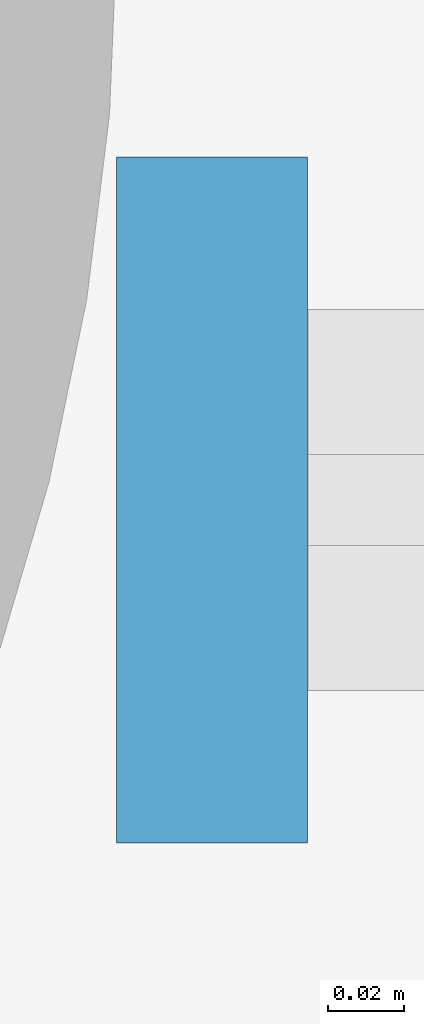
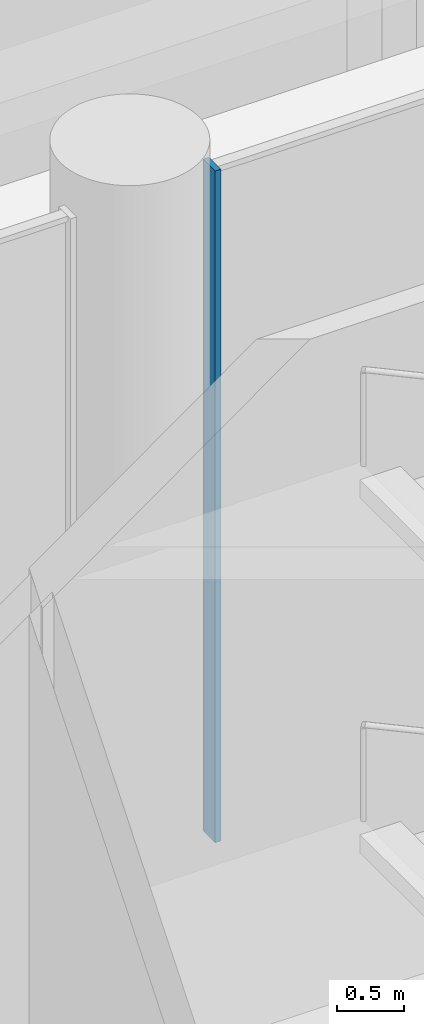
# One storey, part 16 of 51: 1 member, 1 element without a shape of its own.
"""IFC4 building model written with IfcOpenShell, lengths in metres."""

from ifc_helpers import new_model, si_unit, direction, frame, origin, origin_2d, place, context, subcontext, project, spatial, rectangle, extrude, material, layer, layer_set, material_profile, profile_set, type_object, element, aggregate, save


model = new_model("IFC4")

# Units and contexts
model_context = context("Model", 3, precision=1e-05, world=origin(), true_north=direction((0.0, 1.0)))
body_context = subcontext(model_context, "Body", "Model", "MODEL_VIEW")
ifc_project = project(units=[si_unit("LENGTHUNIT", "METRE"), si_unit("AREAUNIT", "SQUARE_METRE"), si_unit("VOLUMEUNIT", "CUBIC_METRE"), si_unit("PLANEANGLEUNIT", "RADIAN"), si_unit("MASSUNIT", "GRAM", prefix="KILO")], contexts=[model_context])

# Site, building, storey
site_placement = place(None, origin())
site = spatial("IfcSite", under=ifc_project, at=site_placement, CompositionType="ELEMENT")
building_placement = place(site_placement, origin())
building = spatial("IfcBuilding", under=site, at=building_placement, Name="Kiln Ring Residences", CompositionType="ELEMENT")
storey_placement = place(building_placement, origin())
storey = spatial("IfcBuildingStorey", under=building, at=storey_placement, Name="L00", CompositionType="ELEMENT", Elevation=0.0)

# Curtain wall, member
ifc_material_1 = material(Name="Aluminium and glass", Category="aluminium")
ifc_layer = layer(ifc_material_1, 0.179931640625)
ifc_layer_set = layer_set([ifc_layer], Name="CW2 CURTAIN WALL")
curtain_wall_type = type_object("IfcCurtainWallType", Name="CW2 CURTAIN WALL", PredefinedType="NOTDEFINED", material=ifc_layer_set)
curtain_wall_placement = place(storey_placement, origin())
curtain_wall = element("IfcCurtainWall", 1, at=curtain_wall_placement, inside=storey, type_object=curtain_wall_type, Name="Curtain wall CW2 L00", PredefinedType="NOTDEFINED")
ifc_material_2 = material(Name="Aluminium 6063-T6", Category="aluminium")
ifc_material_profile = material_profile(ifc_material_2, rectangle(XDim=0.179931640625, YDim=0.050048828125, at=origin_2d()), Name="AL 180x50")
ifc_profile_set = profile_set([ifc_material_profile], Name="Aluminium 6063-T6")
member_type = type_object("IfcMemberType", Name="CW2 MULLION 180 x 50", PredefinedType="MULLION", material=ifc_profile_set)
member_placement = place(storey_placement, frame((39.824951171875, -22.550048828125, 0.0), z_axis=(0.0, 0.0, 1.0), x_axis=(0.0, -1.0, 0.0)))
member = element("IfcMember", 2, at=member_placement, type_object=member_type, Name="CW2 mullion 3", PredefinedType="MULLION", context=body_context, shape_type="SweptSolid", body=[
    extrude(rectangle(XDim=0.179931640625, YDim=0.050048828125, at=origin_2d()), origin(), (0.0, 0.0, 1.0), 6.14990234375),
])
aggregate(curtain_wall, [member])

save(model, "model.ifc")
